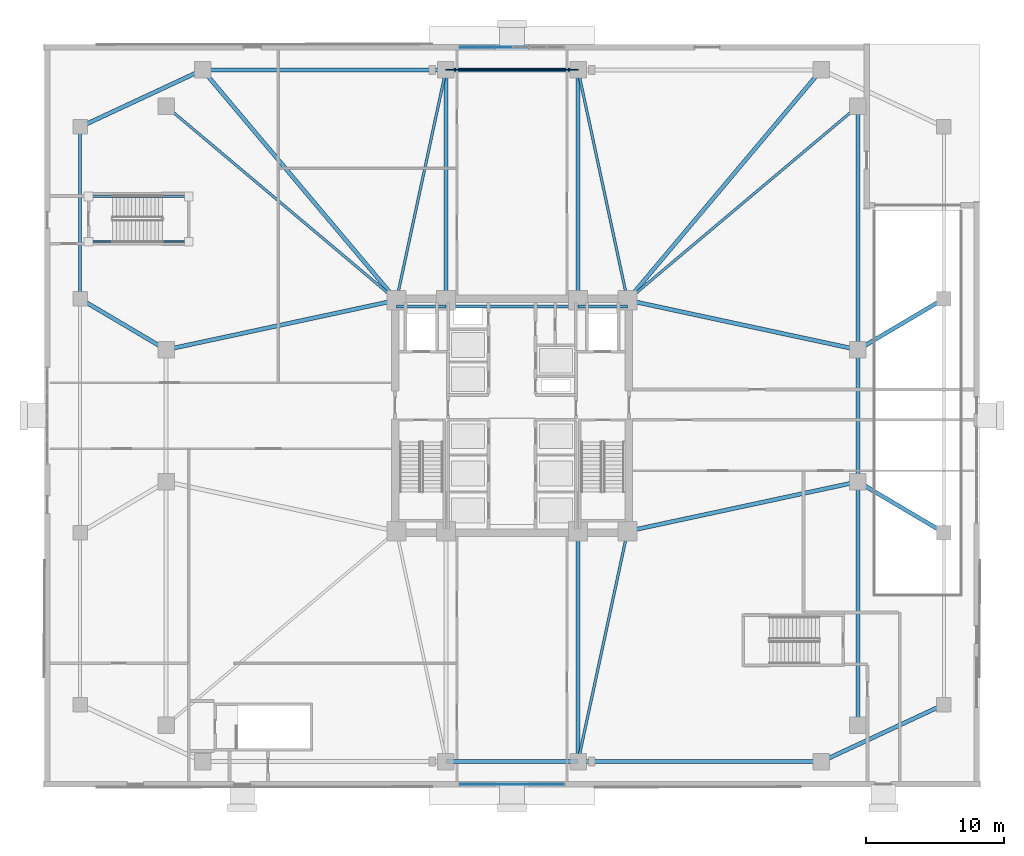
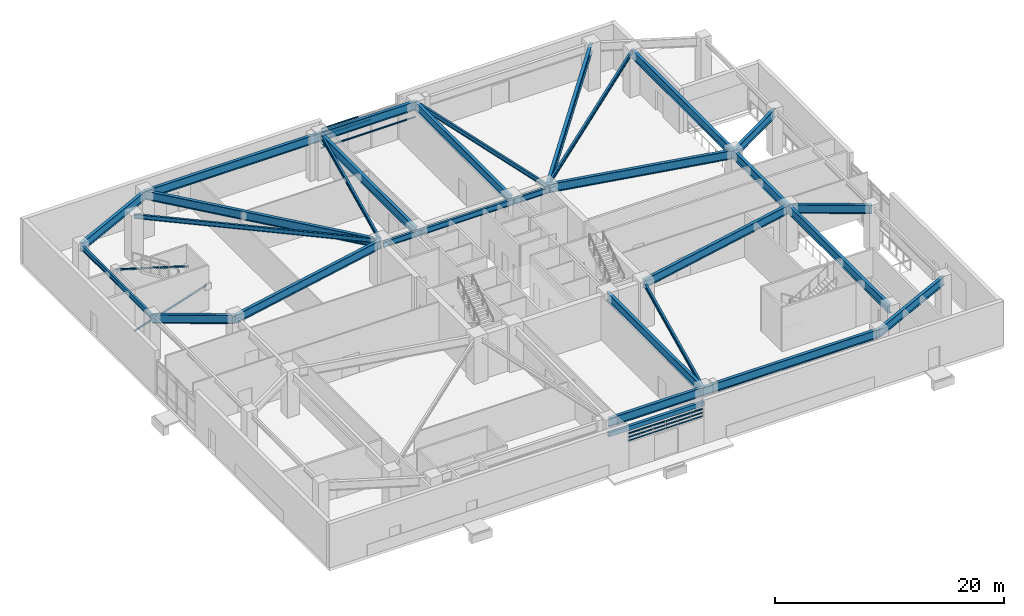
# One storey, part 3 of 21: 31 beams, 30 members, 4 elements without a shape of their own.
"""IFC4 building model written with IfcOpenShell, lengths in metres."""

from ifc_helpers import new_model, si_unit, direction, frame, origin, origin_2d, place, context, subcontext, project, spatial, rectangle, hollow_rectangle, i_section, extrude, material, layer, layer_set, material_profile, profile_set, type_object, element, aggregate, save


model = new_model("IFC4")

# Units and contexts
model_context = context("Model", 3, precision=1e-05, world=origin(), true_north=direction((0.0, 1.0)))
body_context = subcontext(model_context, "Body", "Model", "MODEL_VIEW")
ifc_project = project(units=[si_unit("LENGTHUNIT", "METRE"), si_unit("AREAUNIT", "SQUARE_METRE"), si_unit("VOLUMEUNIT", "CUBIC_METRE"), si_unit("PLANEANGLEUNIT", "RADIAN"), si_unit("MASSUNIT", "GRAM", prefix="KILO")], contexts=[model_context])

# Site, building, storey
site_placement = place(None, origin())
site = spatial("IfcSite", under=ifc_project, at=site_placement, CompositionType="ELEMENT")
building_placement = place(site_placement, origin())
building = spatial("IfcBuilding", under=site, at=building_placement, Name="Cairnveth Concourse Tower", CompositionType="ELEMENT")
storey_placement = place(building_placement, origin())
storey = spatial("IfcBuildingStorey", under=building, at=storey_placement, Name="L00", CompositionType="ELEMENT", Elevation=0.0)

# Curtain wall, members
ifc_material_1 = material(Name="Architectural Bronze Anodised Aluminium 6063-T6", Category="aluminium")
ifc_layer = layer(ifc_material_1, 0.360107421875)
ifc_layer_set = layer_set([ifc_layer], Name="Architectural Bronze Anodised Aluminium 6063-T6")
curtain_wall_type = type_object("IfcCurtainWallType", Name="CONCOURSE GALLERIA PORTAL CURTAIN WALL", PredefinedType="USERDEFINED", material=ifc_layer_set)
curtain_wall_1_placement = place(storey_placement, origin())
curtain_wall_1 = element("IfcCurtainWall", 1, at=curtain_wall_1_placement, inside=storey, type_object=curtain_wall_type, Name="Curtain Wall CW-L00-N-PORTAL1", ObjectType="UNITISED FACADE", PredefinedType="USERDEFINED")
ifc_material_profile_1 = material_profile(ifc_material_1, rectangle(XDim=0.06494140625, YDim=0.139892578125, at=origin_2d()), Name="AL-TRN-65x140")
ifc_profile_set_1 = profile_set([ifc_material_profile_1], Name="Architectural Bronze Anodised Aluminium 6063-T6")
member_type_1 = type_object("IfcMemberType", Name="BRONZE CURTAIN WALL TRANSOM AL-TRN-65x140", PredefinedType="USERDEFINED", material=ifc_profile_set_1)
member_1_placement = place(storey_placement, frame((48.25, 65.7900390625, 2.882568359375), z_axis=(1.0, 0.0, 0.0), x_axis=(0.0, 1.0, 0.0)))
member_1 = element("IfcMember", 2, at=member_1_placement, type_object=member_type_1, Name="CWS1 transom 1.1", ObjectType="TRANSOM", PredefinedType="USERDEFINED", context=body_context, shape_type="SweptSolid", body=[
    extrude(rectangle(XDim=0.06494140625, YDim=0.139892578125, at=origin_2d()), origin(), (0.0, 0.0, 1.0), 1.17919921875),
])
member_2_placement = place(storey_placement, frame((48.25, 65.7900390625, 3.262939453125), z_axis=(1.0, 0.0, 0.0), x_axis=(0.0, 1.0, 0.0)))
member_2 = element("IfcMember", 3, at=member_2_placement, type_object=member_type_1, Name="CWS1 transom 1.2", ObjectType="TRANSOM", PredefinedType="USERDEFINED", context=body_context, shape_type="SweptSolid", body=[
    extrude(rectangle(XDim=0.06494140625, YDim=0.139892578125, at=origin_2d()), origin(), (0.0, 0.0, 1.0), 1.17919921875),
])
member_3_placement = place(storey_placement, frame((48.25, 65.7900390625, 3.6435546875), z_axis=(1.0, 0.0, 0.0), x_axis=(0.0, 1.0, 0.0)))
member_3 = element("IfcMember", 4, at=member_3_placement, type_object=member_type_1, Name="CWS1 transom 1.3", ObjectType="TRANSOM", PredefinedType="USERDEFINED", context=body_context, shape_type="SweptSolid", body=[
    extrude(rectangle(XDim=0.06494140625, YDim=0.139892578125, at=origin_2d()), origin(), (0.0, 0.0, 1.0), 1.17919921875),
])
member_4_placement = place(storey_placement, frame((49.494140625, 65.7900390625, 2.882568359375), z_axis=(1.0, 0.0, 0.0), x_axis=(0.0, 1.0, 0.0)))
member_4 = element("IfcMember", 5, at=member_4_placement, type_object=member_type_1, Name="CWS1 transom 2.1", ObjectType="TRANSOM", PredefinedType="USERDEFINED", context=body_context, shape_type="SweptSolid", body=[
    extrude(rectangle(XDim=0.06494140625, YDim=0.139892578125, at=origin_2d()), origin(), (0.0, 0.0, 1.0), 1.211669921875),
])
member_5_placement = place(storey_placement, frame((49.494140625, 65.7900390625, 3.262939453125), z_axis=(1.0, 0.0, 0.0), x_axis=(0.0, 1.0, 0.0)))
member_5 = element("IfcMember", 6, at=member_5_placement, type_object=member_type_1, Name="CWS1 transom 2.2", ObjectType="TRANSOM", PredefinedType="USERDEFINED", context=body_context, shape_type="SweptSolid", body=[
    extrude(rectangle(XDim=0.06494140625, YDim=0.139892578125, at=origin_2d()), origin(), (0.0, 0.0, 1.0), 1.211669921875),
])
member_6_placement = place(storey_placement, frame((49.494140625, 65.7900390625, 3.6435546875), z_axis=(1.0, 0.0, 0.0), x_axis=(0.0, 1.0, 0.0)))
member_6 = element("IfcMember", 7, at=member_6_placement, type_object=member_type_1, Name="CWS1 transom 2.3", ObjectType="TRANSOM", PredefinedType="USERDEFINED", context=body_context, shape_type="SweptSolid", body=[
    extrude(rectangle(XDim=0.06494140625, YDim=0.139892578125, at=origin_2d()), origin(), (0.0, 0.0, 1.0), 1.211669921875),
])
member_7_placement = place(storey_placement, frame((50.770751953125, 65.7900390625, 2.882568359375), z_axis=(1.0, 0.0, 0.0), x_axis=(0.0, 1.0, 0.0)))
member_7 = element("IfcMember", 8, at=member_7_placement, type_object=member_type_1, Name="CWS1 transom 3.1", ObjectType="TRANSOM", PredefinedType="USERDEFINED", context=body_context, shape_type="SweptSolid", body=[
    extrude(rectangle(XDim=0.06494140625, YDim=0.139892578125, at=origin_2d()), origin(), (0.0, 0.0, 1.0), 1.17919921875),
])
member_8_placement = place(storey_placement, frame((50.770751953125, 65.7900390625, 3.262939453125), z_axis=(1.0, 0.0, 0.0), x_axis=(0.0, 1.0, 0.0)))
member_8 = element("IfcMember", 9, at=member_8_placement, type_object=member_type_1, Name="CWS1 transom 3.2", ObjectType="TRANSOM", PredefinedType="USERDEFINED", context=body_context, shape_type="SweptSolid", body=[
    extrude(rectangle(XDim=0.06494140625, YDim=0.139892578125, at=origin_2d()), origin(), (0.0, 0.0, 1.0), 1.17919921875),
])
member_9_placement = place(storey_placement, frame((50.770751953125, 65.7900390625, 3.6435546875), z_axis=(1.0, 0.0, 0.0), x_axis=(0.0, 1.0, 0.0)))
member_9 = element("IfcMember", 10, at=member_9_placement, type_object=member_type_1, Name="CWS1 transom 3.3", ObjectType="TRANSOM", PredefinedType="USERDEFINED", context=body_context, shape_type="SweptSolid", body=[
    extrude(rectangle(XDim=0.06494140625, YDim=0.139892578125, at=origin_2d()), origin(), (0.0, 0.0, 1.0), 1.17919921875),
])
aggregate(curtain_wall_1, [member_1, member_2, member_3, member_4, member_5, member_6, member_7, member_8, member_9])

# Curtain wall, member
curtain_wall_2_placement = place(storey_placement, origin())
curtain_wall_2 = element("IfcCurtainWall", 11, at=curtain_wall_2_placement, inside=storey, type_object=curtain_wall_type, Name="Curtain Wall CW-L00-N-PORTAL2", ObjectType="UNITISED FACADE", PredefinedType="USERDEFINED")
member_10_placement = place(storey_placement, frame((52.050048828125, 65.7900390625, 2.882568359375), z_axis=(1.0, 0.0, 0.0), x_axis=(0.0, 1.0, 0.0)))
member_10 = element("IfcMember", 12, at=member_10_placement, type_object=member_type_1, Name="CWS1 transom 1.1", ObjectType="TRANSOM", PredefinedType="USERDEFINED", context=body_context, shape_type="SweptSolid", body=[
    extrude(rectangle(XDim=0.06494140625, YDim=0.139892578125, at=origin_2d()), origin(), (0.0, 0.0, 1.0), 1.17919921875),
])
aggregate(curtain_wall_2, [member_10])

# Curtain wall, members
curtain_wall_3_placement = place(storey_placement, origin())
curtain_wall_3 = element("IfcCurtainWall", 13, at=curtain_wall_3_placement, inside=storey, type_object=curtain_wall_type, Name="Curtain Wall CW-L00-S-PORTAL1", ObjectType="UNITISED FACADE", PredefinedType="USERDEFINED")
member_11_placement = place(storey_placement, frame((55.75, 12.2099609375, 2.882568359375), z_axis=(-1.0, 0.0, 0.0), x_axis=(0.0, -1.0, 0.0)))
member_11 = element("IfcMember", 14, at=member_11_placement, type_object=member_type_1, Name="CWS1 transom 1.1", ObjectType="TRANSOM", PredefinedType="USERDEFINED", context=body_context, shape_type="SweptSolid", body=[
    extrude(rectangle(XDim=0.06494140625, YDim=0.139892578125, at=origin_2d()), origin(), (0.0, 0.0, 1.0), 1.17919921875),
])
member_12_placement = place(storey_placement, frame((55.75, 12.2099609375, 3.262939453125), z_axis=(-1.0, 0.0, 0.0), x_axis=(0.0, -1.0, 0.0)))
member_12 = element("IfcMember", 15, at=member_12_placement, type_object=member_type_1, Name="CWS1 transom 1.2", ObjectType="TRANSOM", PredefinedType="USERDEFINED", context=body_context, shape_type="SweptSolid", body=[
    extrude(rectangle(XDim=0.06494140625, YDim=0.139892578125, at=origin_2d()), origin(), (0.0, 0.0, 1.0), 1.17919921875),
])
member_13_placement = place(storey_placement, frame((55.75, 12.2099609375, 3.6435546875), z_axis=(-1.0, 0.0, 0.0), x_axis=(0.0, -1.0, 0.0)))
member_13 = element("IfcMember", 16, at=member_13_placement, type_object=member_type_1, Name="CWS1 transom 1.3", ObjectType="TRANSOM", PredefinedType="USERDEFINED", context=body_context, shape_type="SweptSolid", body=[
    extrude(rectangle(XDim=0.06494140625, YDim=0.139892578125, at=origin_2d()), origin(), (0.0, 0.0, 1.0), 1.17919921875),
])
member_14_placement = place(storey_placement, frame((54.505859375, 12.2099609375, 2.882568359375), z_axis=(-1.0, 0.0, 0.0), x_axis=(0.0, -1.0, 0.0)))
member_14 = element("IfcMember", 17, at=member_14_placement, type_object=member_type_1, Name="CWS1 transom 2.1", ObjectType="TRANSOM", PredefinedType="USERDEFINED", context=body_context, shape_type="SweptSolid", body=[
    extrude(rectangle(XDim=0.06494140625, YDim=0.139892578125, at=origin_2d()), origin(), (0.0, 0.0, 1.0), 1.211669921875),
])
member_15_placement = place(storey_placement, frame((54.505859375, 12.2099609375, 3.262939453125), z_axis=(-1.0, 0.0, 0.0), x_axis=(0.0, -1.0, 0.0)))
member_15 = element("IfcMember", 18, at=member_15_placement, type_object=member_type_1, Name="CWS1 transom 2.2", ObjectType="TRANSOM", PredefinedType="USERDEFINED", context=body_context, shape_type="SweptSolid", body=[
    extrude(rectangle(XDim=0.06494140625, YDim=0.139892578125, at=origin_2d()), origin(), (0.0, 0.0, 1.0), 1.211669921875),
])
member_16_placement = place(storey_placement, frame((54.505859375, 12.2099609375, 3.6435546875), z_axis=(-1.0, 0.0, 0.0), x_axis=(0.0, -1.0, 0.0)))
member_16 = element("IfcMember", 19, at=member_16_placement, type_object=member_type_1, Name="CWS1 transom 2.3", ObjectType="TRANSOM", PredefinedType="USERDEFINED", context=body_context, shape_type="SweptSolid", body=[
    extrude(rectangle(XDim=0.06494140625, YDim=0.139892578125, at=origin_2d()), origin(), (0.0, 0.0, 1.0), 1.211669921875),
])
member_17_placement = place(storey_placement, frame((53.229248046875, 12.2099609375, 2.882568359375), z_axis=(-1.0, 0.0, 0.0), x_axis=(0.0, -1.0, 0.0)))
member_17 = element("IfcMember", 20, at=member_17_placement, type_object=member_type_1, Name="CWS1 transom 3.1", ObjectType="TRANSOM", PredefinedType="USERDEFINED", context=body_context, shape_type="SweptSolid", body=[
    extrude(rectangle(XDim=0.06494140625, YDim=0.139892578125, at=origin_2d()), origin(), (0.0, 0.0, 1.0), 1.17919921875),
])
member_18_placement = place(storey_placement, frame((53.229248046875, 12.2099609375, 3.262939453125), z_axis=(-1.0, 0.0, 0.0), x_axis=(0.0, -1.0, 0.0)))
member_18 = element("IfcMember", 21, at=member_18_placement, type_object=member_type_1, Name="CWS1 transom 3.2", ObjectType="TRANSOM", PredefinedType="USERDEFINED", context=body_context, shape_type="SweptSolid", body=[
    extrude(rectangle(XDim=0.06494140625, YDim=0.139892578125, at=origin_2d()), origin(), (0.0, 0.0, 1.0), 1.17919921875),
])
member_19_placement = place(storey_placement, frame((53.229248046875, 12.2099609375, 3.6435546875), z_axis=(-1.0, 0.0, 0.0), x_axis=(0.0, -1.0, 0.0)))
member_19 = element("IfcMember", 22, at=member_19_placement, type_object=member_type_1, Name="CWS1 transom 3.3", ObjectType="TRANSOM", PredefinedType="USERDEFINED", context=body_context, shape_type="SweptSolid", body=[
    extrude(rectangle(XDim=0.06494140625, YDim=0.139892578125, at=origin_2d()), origin(), (0.0, 0.0, 1.0), 1.17919921875),
])
aggregate(curtain_wall_3, [member_11, member_12, member_13, member_14, member_15, member_16, member_17, member_18, member_19])

curtain_wall_4_placement = place(storey_placement, origin())
curtain_wall_4 = element("IfcCurtainWall", 23, at=curtain_wall_4_placement, inside=storey, type_object=curtain_wall_type, Name="Curtain Wall CW-L00-S-PORTAL2", ObjectType="UNITISED FACADE", PredefinedType="USERDEFINED")
member_20_placement = place(storey_placement, frame((51.949951171875, 12.2099609375, 2.882568359375), z_axis=(-1.0, 0.0, 0.0), x_axis=(0.0, -1.0, 0.0)))
member_20 = element("IfcMember", 24, at=member_20_placement, type_object=member_type_1, Name="CWS1 transom 1.1", ObjectType="TRANSOM", PredefinedType="USERDEFINED", context=body_context, shape_type="SweptSolid", body=[
    extrude(rectangle(XDim=0.06494140625, YDim=0.139892578125, at=origin_2d()), origin(), (0.0, 0.0, 1.0), 1.17919921875),
])
member_21_placement = place(storey_placement, frame((51.949951171875, 12.2099609375, 3.262939453125), z_axis=(-1.0, 0.0, 0.0), x_axis=(0.0, -1.0, 0.0)))
member_21 = element("IfcMember", 25, at=member_21_placement, type_object=member_type_1, Name="CWS1 transom 1.2", ObjectType="TRANSOM", PredefinedType="USERDEFINED", context=body_context, shape_type="SweptSolid", body=[
    extrude(rectangle(XDim=0.06494140625, YDim=0.139892578125, at=origin_2d()), origin(), (0.0, 0.0, 1.0), 1.17919921875),
])
member_22_placement = place(storey_placement, frame((51.949951171875, 12.2099609375, 3.6435546875), z_axis=(-1.0, 0.0, 0.0), x_axis=(0.0, -1.0, 0.0)))
member_22 = element("IfcMember", 26, at=member_22_placement, type_object=member_type_1, Name="CWS1 transom 1.3", ObjectType="TRANSOM", PredefinedType="USERDEFINED", context=body_context, shape_type="SweptSolid", body=[
    extrude(rectangle(XDim=0.06494140625, YDim=0.139892578125, at=origin_2d()), origin(), (0.0, 0.0, 1.0), 1.17919921875),
])
member_23_placement = place(storey_placement, frame((50.705810546875, 12.2099609375, 2.882568359375), z_axis=(-1.0, 0.0, 0.0), x_axis=(0.0, -1.0, 0.0)))
member_23 = element("IfcMember", 27, at=member_23_placement, type_object=member_type_1, Name="CWS1 transom 2.1", ObjectType="TRANSOM", PredefinedType="USERDEFINED", context=body_context, shape_type="SweptSolid", body=[
    extrude(rectangle(XDim=0.06494140625, YDim=0.139892578125, at=origin_2d()), origin(), (0.0, 0.0, 1.0), 1.211669921875),
])
member_24_placement = place(storey_placement, frame((50.705810546875, 12.2099609375, 3.262939453125), z_axis=(-1.0, 0.0, 0.0), x_axis=(0.0, -1.0, 0.0)))
member_24 = element("IfcMember", 28, at=member_24_placement, type_object=member_type_1, Name="CWS1 transom 2.2", ObjectType="TRANSOM", PredefinedType="USERDEFINED", context=body_context, shape_type="SweptSolid", body=[
    extrude(rectangle(XDim=0.06494140625, YDim=0.139892578125, at=origin_2d()), origin(), (0.0, 0.0, 1.0), 1.211669921875),
])
member_25_placement = place(storey_placement, frame((50.705810546875, 12.2099609375, 3.6435546875), z_axis=(-1.0, 0.0, 0.0), x_axis=(0.0, -1.0, 0.0)))
member_25 = element("IfcMember", 29, at=member_25_placement, type_object=member_type_1, Name="CWS1 transom 2.3", ObjectType="TRANSOM", PredefinedType="USERDEFINED", context=body_context, shape_type="SweptSolid", body=[
    extrude(rectangle(XDim=0.06494140625, YDim=0.139892578125, at=origin_2d()), origin(), (0.0, 0.0, 1.0), 1.211669921875),
])
member_26_placement = place(storey_placement, frame((49.42919921875, 12.2099609375, 2.882568359375), z_axis=(-1.0, 0.0, 0.0), x_axis=(0.0, -1.0, 0.0)))
member_26 = element("IfcMember", 30, at=member_26_placement, type_object=member_type_1, Name="CWS1 transom 3.1", ObjectType="TRANSOM", PredefinedType="USERDEFINED", context=body_context, shape_type="SweptSolid", body=[
    extrude(rectangle(XDim=0.06494140625, YDim=0.139892578125, at=origin_2d()), origin(), (0.0, 0.0, 1.0), 1.17919921875),
])
member_27_placement = place(storey_placement, frame((49.42919921875, 12.2099609375, 3.262939453125), z_axis=(-1.0, 0.0, 0.0), x_axis=(0.0, -1.0, 0.0)))
member_27 = element("IfcMember", 31, at=member_27_placement, type_object=member_type_1, Name="CWS1 transom 3.2", ObjectType="TRANSOM", PredefinedType="USERDEFINED", context=body_context, shape_type="SweptSolid", body=[
    extrude(rectangle(XDim=0.06494140625, YDim=0.139892578125, at=origin_2d()), origin(), (0.0, 0.0, 1.0), 1.17919921875),
])
member_28_placement = place(storey_placement, frame((49.42919921875, 12.2099609375, 3.6435546875), z_axis=(-1.0, 0.0, 0.0), x_axis=(0.0, -1.0, 0.0)))
member_28 = element("IfcMember", 32, at=member_28_placement, type_object=member_type_1, Name="CWS1 transom 3.3", ObjectType="TRANSOM", PredefinedType="USERDEFINED", context=body_context, shape_type="SweptSolid", body=[
    extrude(rectangle(XDim=0.06494140625, YDim=0.139892578125, at=origin_2d()), origin(), (0.0, 0.0, 1.0), 1.17919921875),
])
aggregate(curtain_wall_4, [member_20, member_21, member_22, member_23, member_24, member_25, member_26, member_27, member_28])

# Beam
ifc_material_2 = material(Name="Precast concrete N50 (50 MPa)", Category="concrete")
ifc_material_profile_2 = material_profile(ifc_material_2, rectangle(XDim=0.300048828125, YDim=0.449951171875, at=origin_2d()), Name="RC-LNT-300x450")
ifc_profile_set_2 = profile_set([ifc_material_profile_2], Name="Precast concrete N50 (50 MPa)")
beam_type_1 = type_object("IfcBeamType", Name="CONCOURSE MASONRY LINTEL 300X450", PredefinedType="LINTEL", material=ifc_profile_set_2)
beam_1_placement = place(storey_placement, frame((47.199951171875, 13.85009765625, 2.949951171875), z_axis=(1.0, 0.0, 0.0), x_axis=(0.0, 1.0, 0.0)))
element("IfcBeam", 33, at=beam_1_placement, inside=storey, type_object=beam_type_1, Name="Concourse Portal Lintel 1 L00", PredefinedType="LINTEL", context=body_context, shape_type="SweptSolid", body=[
    extrude(rectangle(XDim=0.300048828125, YDim=0.449951171875, at=origin_2d()), origin(), (0.0, 0.0, 1.0), 9.60009765625),
])

# Members
ifc_material_3 = material(Name="Steel C350L0 (350 MPa)", Category="steel")
ifc_material_profile_3 = material_profile(ifc_material_3, hollow_rectangle(XDim=0.14990234375, YDim=0.14990234375, WallThickness=0.009033203125, InnerFilletRadius=0.009033203125, OuterFilletRadius=0.01806640625, at=origin_2d()), Name="150x150x9.0SHS")
ifc_profile_set_3 = profile_set([ifc_material_profile_3], Name="Steel C350L0 (350 MPa)")
member_type_2 = type_object("IfcMemberType", Name="CONCOURSE STAIR STRINGER 150X150X9SHS", PredefinedType="STRINGER", material=ifc_profile_set_3)
member_29_placement = place(storey_placement, frame((21.2099609375, 51.64990234375, 0.14990234375), z_axis=(0.951643625436, 0.0, 0.307204183187), x_axis=(0.0, 1.0, 0.0)))
element("IfcMember", 34, at=member_29_placement, inside=storey, type_object=member_type_2, Name="Structural Brace STRG-1 L00", PredefinedType="STRINGER", context=body_context, shape_type="SweptSolid", body=[
    extrude(hollow_rectangle(XDim=0.14990234375, YDim=0.14990234375, WallThickness=0.009033203125, InnerFilletRadius=0.009033203125, OuterFilletRadius=0.01806640625, at=origin_2d()), origin(), (0.0, 0.0, 1.0), 7.64990234375),
])
member_30_placement = place(storey_placement, frame((28.489990234375, 54.949951171875, 2.5), z_axis=(-0.957247403329, 0.0, 0.289270476924), x_axis=(0.0, -1.0, 0.0)))
element("IfcMember", 35, at=member_30_placement, inside=storey, type_object=member_type_2, Name="Structural Brace STRG-2 L00", PredefinedType="STRINGER", context=body_context, shape_type="SweptSolid", body=[
    extrude(hollow_rectangle(XDim=0.14990234375, YDim=0.14990234375, WallThickness=0.009033203125, InnerFilletRadius=0.009033203125, OuterFilletRadius=0.01806640625, at=origin_2d()), origin(), (0.0, 0.0, 1.0), 7.605224609375),
])

# Beams
ifc_material_4 = material(Name="Steel Grade 350", Category="steel")
ifc_material_profile_4 = material_profile(ifc_material_4, i_section(OverallWidth=0.22802734375, OverallDepth=0.60693359375, WebThickness=0.01123046875, FlangeThickness=0.017333984375, FilletRadius=0.013916015625, at=origin_2d()), Name="610UB113")
ifc_profile_set_4 = profile_set([ifc_material_profile_4], Name="Steel Grade 350")
beam_type_2 = type_object("IfcBeamType", Name="CORE TIE BEAM 610UB113", PredefinedType="T_BEAM", material=ifc_profile_set_4)
for number, where, z_axis, x_axis, name in (
    (36, (43.60009765625, 46.949951171875, 4.396484375), (1.0, 0.0, 0.0), (0.0, 1.0, 0.0), "Beam CT-N1 L00"),
    (37, (56.800048828125, 46.949951171875, 4.396484375), (1.0, 0.0, 0.0), (0.0, 1.0, 0.0), "Beam CT-N3 L00"),
):
    element("IfcBeam", number, at=place(storey_placement, frame(where, z_axis=z_axis, x_axis=x_axis)), inside=storey, type_object=beam_type_2, Name=name, PredefinedType="T_BEAM", context=body_context, shape_type="SweptSolid", body=[
        extrude(i_section(OverallWidth=0.22802734375, OverallDepth=0.60693359375, WebThickness=0.01123046875, FlangeThickness=0.017333984375, FilletRadius=0.013916015625, at=origin_2d()), origin(), (0.0, 0.0, 1.0), 3.599853515625),
    ])
beam_2_placement = place(storey_placement, frame((47.199951171875, 46.949951171875, 4.396484375), z_axis=(1.0, 0.0, 0.0), x_axis=(0.0, 1.0, 0.0)))
element("IfcBeam", 38, at=beam_2_placement, inside=storey, type_object=beam_type_2, Name="Beam CT-N2 L00", PredefinedType="T_BEAM", context=body_context, shape_type="SweptSolid", body=[
    extrude(i_section(OverallWidth=0.22802734375, OverallDepth=0.60693359375, WebThickness=0.01123046875, FlangeThickness=0.017333984375, FilletRadius=0.013916015625, at=origin_2d()), origin(), (0.0, 0.0, 1.0), 9.60009765625),
])
ifc_material_profile_5 = material_profile(ifc_material_4, i_section(OverallWidth=0.208984375, OverallDepth=0.532958984375, WebThickness=0.01025390625, FlangeThickness=0.015625, FilletRadius=0.013916015625, at=origin_2d()), Name="530UB92.4")
ifc_profile_set_5 = profile_set([ifc_material_profile_5], Name="Steel Grade 350")
beam_type_3 = type_object("IfcBeamType", Name="PODIUM EDGE SPANDREL 530UB92.4", PredefinedType="SPANDREL", material=ifc_profile_set_5)
beam_3_placement = place(storey_placement, frame((20.60009765625, 47.5, 4.43359375), z_axis=(0.0, 1.0, 0.0), x_axis=(-1.0, 0.0, 0.0)))
element("IfcBeam", 39, at=beam_3_placement, inside=storey, type_object=beam_type_3, Name="Beam PSP-W3 L00", PredefinedType="SPANDREL", context=body_context, shape_type="SweptSolid", body=[
    extrude(i_section(OverallWidth=0.208984375, OverallDepth=0.532958984375, WebThickness=0.01025390625, FlangeThickness=0.015625, FilletRadius=0.013916015625, at=origin_2d()), origin(), (0.0, 0.0, 1.0), 12.5),
])
ifc_material_profile_6 = material_profile(ifc_material_4, i_section(OverallWidth=0.18994140625, OverallDepth=0.45703125, WebThickness=0.009033203125, FlangeThickness=0.014404296875, FilletRadius=0.010986328125, at=origin_2d()), Name="460UB74.6")
ifc_profile_set_6 = profile_set([ifc_material_profile_6], Name="Steel Grade 350")
beam_type_4 = type_object("IfcBeamType", Name="PODIUM FLOOR JOIST 460UB74.6", PredefinedType="JOIST", material=ifc_profile_set_6)
for number, where, z_axis, x_axis, name in (
    (40, (26.85009765625, 61.5, 4.471435546875), (0.765027427674, -0.643997697905, 0.0), (0.643997697905, 0.765027427674, 0.0), "Beam PJ-NW1 L00"),
    (41, (77.14990234375, 61.5, 4.471435546875), (-0.765027427674, -0.643997697905, 0.0), (0.643997697905, -0.765027427674, 0.0), "Beam PJ-NE1 L00"),
):
    element("IfcBeam", number, at=place(storey_placement, frame(where, z_axis=z_axis, x_axis=x_axis)), inside=storey, type_object=beam_type_4, Name=name, PredefinedType="JOIST", context=body_context, shape_type="SweptSolid", body=[
        extrude(i_section(OverallWidth=0.18994140625, OverallDepth=0.45703125, WebThickness=0.009033203125, FlangeThickness=0.014404296875, FilletRadius=0.010986328125, at=origin_2d()), origin(), (0.0, 0.0, 1.0), 21.89453125),
    ])
for number, where, z_axis, x_axis, name in (
    (42, (60.39990234375, 30.60009765625, 4.471435546875), (-0.210118799239, -0.977675861524, 0.0), (0.977675861524, -0.210118799239, 0.0), "Beam PJ-S-X2 L00"),
    (43, (43.60009765625, 47.39990234375, 4.471435546875), (0.210118799239, 0.977675861524, 0.0), (-0.977675861524, 0.210118799239, 0.0), "Beam PJ-N-X L00"),
    (44, (60.39990234375, 47.39990234375, 4.471435546875), (-0.210118799239, 0.977675861524, 0.0), (-0.977675861524, -0.210118799239, 0.0), "Beam PJ-N-X2 L00"),
):
    element("IfcBeam", number, at=place(storey_placement, frame(where, z_axis=z_axis, x_axis=x_axis)), inside=storey, type_object=beam_type_4, Name=name, PredefinedType="JOIST", context=body_context, shape_type="SweptSolid", body=[
        extrude(i_section(OverallWidth=0.18994140625, OverallDepth=0.45703125, WebThickness=0.009033203125, FlangeThickness=0.014404296875, FilletRadius=0.010986328125, at=origin_2d()), origin(), (0.0, 0.0, 1.0), 17.132568359375),
    ])
ifc_material_profile_7 = material_profile(ifc_material_4, i_section(OverallWidth=0.300048828125, OverallDepth=0.924072265625, WebThickness=0.013916015625, FlangeThickness=0.031982421875, at=origin_2d()), Name="900WB257")
ifc_profile_set_7 = profile_set([ifc_material_profile_7], Name="Steel Grade 350")
beam_type_5 = type_object("IfcBeamType", Name="PODIUM PRIMARY GIRDER 900WB257", PredefinedType="BEAM", material=ifc_profile_set_7)
for number, where, z_axis, x_axis, name in (
    (45, (74.5, 13.85009765625, 4.238037109375), (0.906315208572, 0.422602345842, 0.0), (-0.422602345842, 0.906315208572, 0.0), "Beam PG-E-S L00"),
    (46, (20.60009765625, 60.0, 4.238037109375), (0.906315208572, 0.422602345842, 0.0), (-0.422602345842, 0.906315208572, 0.0), "Beam PG-W-N L00"),
):
    element("IfcBeam", number, at=place(storey_placement, frame(where, z_axis=z_axis, x_axis=x_axis)), inside=storey, type_object=beam_type_5, Name=name, PredefinedType="BEAM", context=body_context, shape_type="SweptSolid", body=[
        extrude(i_section(OverallWidth=0.300048828125, OverallDepth=0.924072265625, WebThickness=0.013916015625, FlangeThickness=0.031982421875, at=origin_2d()), origin(), (0.0, 0.0, 1.0), 9.81982421875),
    ])
beam_4_placement = place(storey_placement, frame((20.60009765625, 47.5, 4.238037109375), z_axis=(0.860518044459, -0.509419959523, 0.0), x_axis=(0.509419959523, 0.860518044459, 0.0)))
element("IfcBeam", 47, at=beam_4_placement, inside=storey, type_object=beam_type_5, Name="Beam PG-W2 L00", PredefinedType="BEAM", context=body_context, shape_type="SweptSolid", body=[
    extrude(i_section(OverallWidth=0.300048828125, OverallDepth=0.924072265625, WebThickness=0.013916015625, FlangeThickness=0.031982421875, at=origin_2d()), origin(), (0.0, 0.0, 1.0), 7.26318359375),
])
for number, where, z_axis, x_axis, name in (
    (48, (26.85009765625, 43.800048828125, 4.238037109375), (0.977675861524, 0.210118799239, 0.0), (-0.210118799239, 0.977675861524, 0.0), "Beam PG-W2B L00"),
    (49, (60.39990234375, 30.60009765625, 4.238037109375), (0.977675861524, 0.210118799239, 0.0), (-0.210118799239, 0.977675861524, 0.0), "Beam PG-E1 L00"),
):
    element("IfcBeam", number, at=place(storey_placement, frame(where, z_axis=z_axis, x_axis=x_axis)), inside=storey, type_object=beam_type_5, Name=name, PredefinedType="BEAM", context=body_context, shape_type="SweptSolid", body=[
        extrude(i_section(OverallWidth=0.300048828125, OverallDepth=0.924072265625, WebThickness=0.013916015625, FlangeThickness=0.031982421875, at=origin_2d()), origin(), (0.0, 0.0, 1.0), 17.132568359375),
    ])
beam_5_placement = place(storey_placement, frame((77.14990234375, 34.199951171875, 4.238037109375), z_axis=(0.860518044459, -0.509419959523, 0.0), x_axis=(0.509419959523, 0.860518044459, 0.0)))
element("IfcBeam", 50, at=beam_5_placement, inside=storey, type_object=beam_type_5, Name="Beam PG-E1B L00", PredefinedType="BEAM", context=body_context, shape_type="SweptSolid", body=[
    extrude(i_section(OverallWidth=0.300048828125, OverallDepth=0.924072265625, WebThickness=0.013916015625, FlangeThickness=0.031982421875, at=origin_2d()), origin(), (0.0, 0.0, 1.0), 7.26318359375),
])
beam_6_placement = place(storey_placement, frame((60.39990234375, 47.39990234375, 4.238037109375), z_axis=(0.977675861524, -0.210118799239, 0.0), x_axis=(0.210118799239, 0.977675861524, 0.0)))
element("IfcBeam", 51, at=beam_6_placement, inside=storey, type_object=beam_type_5, Name="Beam PG-E2 L00", PredefinedType="BEAM", context=body_context, shape_type="SweptSolid", body=[
    extrude(i_section(OverallWidth=0.300048828125, OverallDepth=0.924072265625, WebThickness=0.013916015625, FlangeThickness=0.031982421875, at=origin_2d()), origin(), (0.0, 0.0, 1.0), 17.132568359375),
])
beam_7_placement = place(storey_placement, frame((77.14990234375, 43.800048828125, 4.238037109375), z_axis=(0.860518044459, 0.509419959523, 0.0), x_axis=(-0.509419959523, 0.860518044459, 0.0)))
element("IfcBeam", 52, at=beam_7_placement, inside=storey, type_object=beam_type_5, Name="Beam PG-E2B L00", PredefinedType="BEAM", context=body_context, shape_type="SweptSolid", body=[
    extrude(i_section(OverallWidth=0.300048828125, OverallDepth=0.924072265625, WebThickness=0.013916015625, FlangeThickness=0.031982421875, at=origin_2d()), origin(), (0.0, 0.0, 1.0), 7.26318359375),
])
for number, where, z_axis, x_axis, name in (
    (53, (56.800048828125, 13.85009765625, 4.238037109375), (0.0, 1.0, 0.0), (-1.0, 0.0, 0.0), "Beam PG-S2 L00"),
    (54, (47.199951171875, 47.39990234375, 4.238037109375), (0.0, 1.0, 0.0), (-1.0, 0.0, 0.0), "Beam PG-N1 L00"),
    (55, (56.800048828125, 47.39990234375, 4.238037109375), (0.0, 1.0, 0.0), (-1.0, 0.0, 0.0), "Beam PG-N2 L00"),
):
    element("IfcBeam", number, at=place(storey_placement, frame(where, z_axis=z_axis, x_axis=x_axis)), inside=storey, type_object=beam_type_5, Name=name, PredefinedType="BEAM", context=body_context, shape_type="SweptSolid", body=[
        extrude(i_section(OverallWidth=0.300048828125, OverallDepth=0.924072265625, WebThickness=0.013916015625, FlangeThickness=0.031982421875, at=origin_2d()), origin(), (0.0, 0.0, 1.0), 16.75),
    ])
for number, where, z_axis, x_axis, name in (
    (56, (29.5, 64.14990234375, 4.238037109375), (0.643997697905, -0.765027427674, 0.0), (0.765027427674, 0.643997697905, 0.0), "Beam PG-CNW L00"),
    (57, (74.5, 64.14990234375, 4.238037109375), (-0.643997697905, -0.765027427674, 0.0), (0.765027427674, -0.643997697905, 0.0), "Beam PG-CNE L00"),
):
    element("IfcBeam", number, at=place(storey_placement, frame(where, z_axis=z_axis, x_axis=x_axis)), inside=storey, type_object=beam_type_5, Name=name, PredefinedType="BEAM", context=body_context, shape_type="SweptSolid", body=[
        extrude(i_section(OverallWidth=0.300048828125, OverallDepth=0.924072265625, WebThickness=0.013916015625, FlangeThickness=0.031982421875, at=origin_2d()), origin(), (0.0, 0.0, 1.0), 21.89453125),
    ])
beam_8_placement = place(storey_placement, frame((47.199951171875, 13.85009765625, 4.238037109375), z_axis=(1.0, 0.0, 0.0), x_axis=(0.0, 1.0, 0.0)))
element("IfcBeam", 58, at=beam_8_placement, inside=storey, type_object=beam_type_5, Name="Beam PR-S2 L00", PredefinedType="BEAM", context=body_context, shape_type="SweptSolid", body=[
    extrude(i_section(OverallWidth=0.300048828125, OverallDepth=0.924072265625, WebThickness=0.013916015625, FlangeThickness=0.031982421875, at=origin_2d()), origin(), (0.0, 0.0, 1.0), 9.60009765625),
])
for number, where, z_axis, x_axis, name in (
    (59, (56.800048828125, 13.85009765625, 4.238037109375), (1.0, 0.0, 0.0), (0.0, 1.0, 0.0), "Beam PR-S3 L00"),
    (60, (29.5, 64.14990234375, 4.238037109375), (1.0, 0.0, 0.0), (0.0, 1.0, 0.0), "Beam PR-N1 L00"),
):
    element("IfcBeam", number, at=place(storey_placement, frame(where, z_axis=z_axis, x_axis=x_axis)), inside=storey, type_object=beam_type_5, Name=name, PredefinedType="BEAM", context=body_context, shape_type="SweptSolid", body=[
        extrude(i_section(OverallWidth=0.300048828125, OverallDepth=0.924072265625, WebThickness=0.013916015625, FlangeThickness=0.031982421875, at=origin_2d()), origin(), (0.0, 0.0, 1.0), 17.699951171875),
    ])
beam_9_placement = place(storey_placement, frame((47.199951171875, 64.14990234375, 4.238037109375), z_axis=(1.0, 0.0, 0.0), x_axis=(0.0, 1.0, 0.0)))
element("IfcBeam", 61, at=beam_9_placement, inside=storey, type_object=beam_type_5, Name="Beam PR-N2 L00", PredefinedType="BEAM", context=body_context, shape_type="SweptSolid", body=[
    extrude(i_section(OverallWidth=0.300048828125, OverallDepth=0.924072265625, WebThickness=0.013916015625, FlangeThickness=0.031982421875, at=origin_2d()), origin(), (0.0, 0.0, 1.0), 9.60009765625),
])
beam_10_placement = place(storey_placement, frame((77.14990234375, 16.5, 4.238037109375), z_axis=(0.0, 1.0, 0.0), x_axis=(-1.0, 0.0, 0.0)))
element("IfcBeam", 62, at=beam_10_placement, inside=storey, type_object=beam_type_5, Name="Beam PR-E1 L00", PredefinedType="BEAM", context=body_context, shape_type="SweptSolid", body=[
    extrude(i_section(OverallWidth=0.300048828125, OverallDepth=0.924072265625, WebThickness=0.013916015625, FlangeThickness=0.031982421875, at=origin_2d()), origin(), (0.0, 0.0, 1.0), 17.699951171875),
])
beam_11_placement = place(storey_placement, frame((77.14990234375, 34.199951171875, 4.238037109375), z_axis=(0.0, 1.0, 0.0), x_axis=(-1.0, 0.0, 0.0)))
element("IfcBeam", 63, at=beam_11_placement, inside=storey, type_object=beam_type_5, Name="Beam PR-E2 L00", PredefinedType="BEAM", context=body_context, shape_type="SweptSolid", body=[
    extrude(i_section(OverallWidth=0.300048828125, OverallDepth=0.924072265625, WebThickness=0.013916015625, FlangeThickness=0.031982421875, at=origin_2d()), origin(), (0.0, 0.0, 1.0), 9.60009765625),
])
beam_12_placement = place(storey_placement, frame((77.14990234375, 43.800048828125, 4.238037109375), z_axis=(0.0, 1.0, 0.0), x_axis=(-1.0, 0.0, 0.0)))
element("IfcBeam", 64, at=beam_12_placement, inside=storey, type_object=beam_type_5, Name="Beam PR-E3 L00", PredefinedType="BEAM", context=body_context, shape_type="SweptSolid", body=[
    extrude(i_section(OverallWidth=0.300048828125, OverallDepth=0.924072265625, WebThickness=0.013916015625, FlangeThickness=0.031982421875, at=origin_2d()), origin(), (0.0, 0.0, 1.0), 17.699951171875),
])
ifc_material_profile_8 = material_profile(ifc_material_4, i_section(OverallWidth=0.074951171875, OverallDepth=0.155029296875, WebThickness=0.006103515625, FlangeThickness=0.009521484375, FilletRadius=0.008056640625, at=origin_2d()), Name="150UB18.0")
ifc_profile_set_8 = profile_set([ifc_material_profile_8], Name="Steel Grade 350")
beam_type_6 = type_object("IfcBeamType", Name="STEEL OPENING LINTEL 150UB18.0", PredefinedType="LINTEL", material=ifc_profile_set_8)
beam_13_placement = place(storey_placement, frame((47.199951171875, 64.14990234375, 2.949951171875), z_axis=(1.0, 0.0, 0.0), x_axis=(0.0, 1.0, 0.0)))
element("IfcBeam", 65, at=beam_13_placement, inside=storey, type_object=beam_type_6, Name="Concourse Portal Lintel 2 L00", PredefinedType="LINTEL", context=body_context, shape_type="SweptSolid", body=[
    extrude(i_section(OverallWidth=0.074951171875, OverallDepth=0.155029296875, WebThickness=0.006103515625, FlangeThickness=0.009521484375, FilletRadius=0.008056640625, at=origin_2d()), origin(), (0.0, 0.0, 1.0), 9.60009765625),
])

save(model, "model.ifc")
